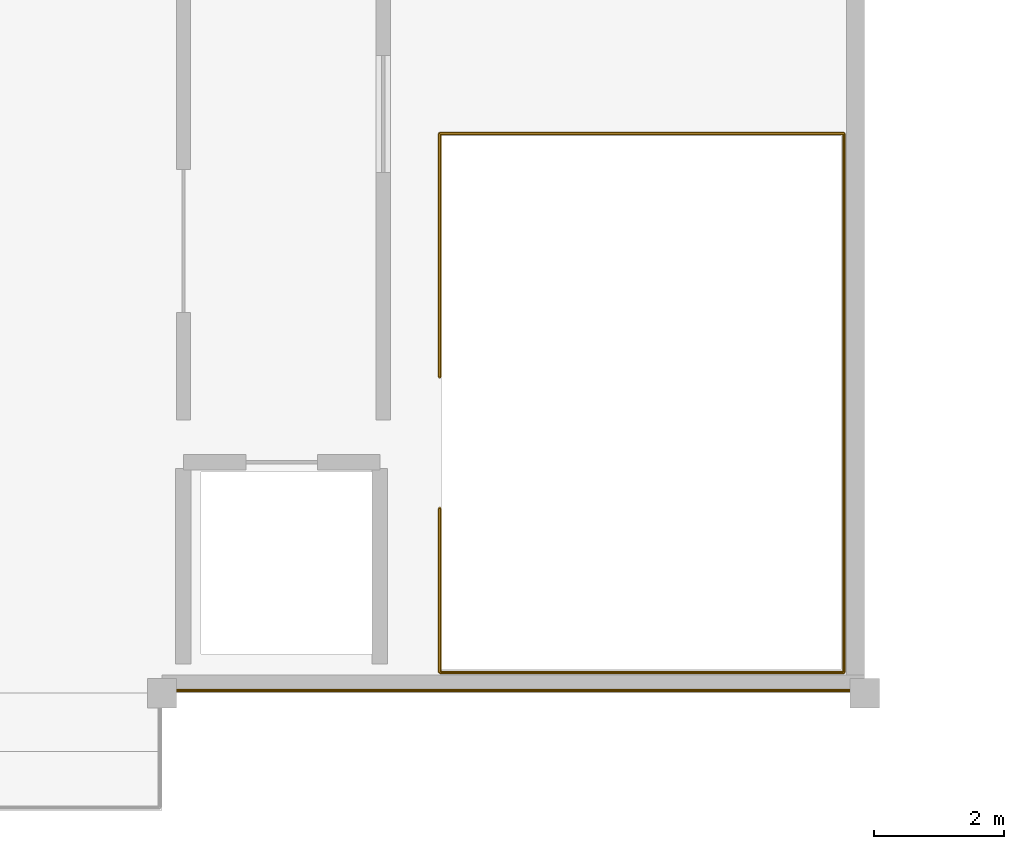
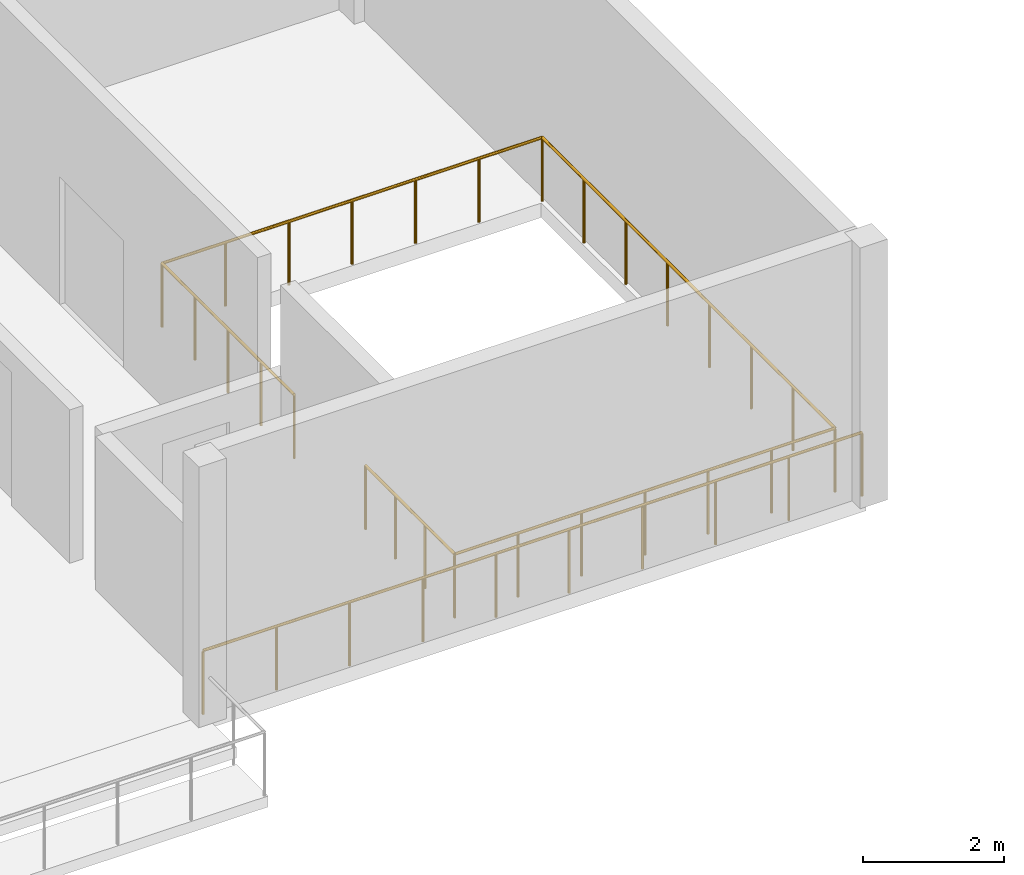
# One storey, part 88 of 89: 2 railings.
"""IFC4 building model written with IfcOpenShell, lengths in metres."""

from ifc_helpers import new_model, si_unit, direction, frame, origin, origin_2d, place, context, subcontext, project, spatial, circle, extrude, material, type_object, element, save


model = new_model("IFC4")

# Units and contexts
model_context = context("Model", 3, precision=1e-05, world=origin(), true_north=direction((0.0, 1.0)))
body_context = subcontext(model_context, "Body", "Model", "MODEL_VIEW")
ifc_project = project(units=[si_unit("LENGTHUNIT", "METRE"), si_unit("AREAUNIT", "SQUARE_METRE"), si_unit("VOLUMEUNIT", "CUBIC_METRE"), si_unit("PLANEANGLEUNIT", "RADIAN"), si_unit("MASSUNIT", "GRAM", prefix="KILO")], contexts=[model_context])

# Site, building, storey
site_placement = place(None, origin())
site = spatial("IfcSite", under=ifc_project, at=site_placement, CompositionType="ELEMENT")
building_placement = place(site_placement, origin())
building = spatial("IfcBuilding", under=site, at=building_placement, Name="Suirenkawa Promenade Aquatics Centre", CompositionType="ELEMENT")
storey_placement = place(building_placement, frame((0.0, 0.0, 9.60009765625)))
storey = spatial("IfcBuildingStorey", under=building, at=storey_placement, Name="L02", CompositionType="ELEMENT", Elevation=9.60009765625)

# Railings
ifc_material = material(Name="Marine-grade stainless steel Grade 316L", Category="steel")
railing_type_1 = type_object("IfcRailingType", Name="RLT-BALUSTRADE-1120", PredefinedType="BALUSTRADE", material=ifc_material)
railing_1_placement = place(storey_placement, frame((133.199951171875, 108.0400390625, 0.0)))
element("IfcRailing", 1, at=railing_1_placement, inside=storey, type_object=railing_type_1, Name="Balustrade BAL-01 RL-0425", PredefinedType="BALUSTRADE", context=body_context, shape_type="SweptSolid", body=[
    extrude(circle(Radius=0.02392578125, at=origin_2d()), frame((0.0, 0.0, 1.09619140625), z_axis=(1.0, 0.0, 0.0), x_axis=(0.0, 1.0, 0.0)), (0.0, 0.0, 1.0), 10.760009765625),
    extrude(circle(Radius=0.02099609375, at=origin_2d()), origin(), (0.0, 0.0, 1.0), 1.072021484375),
    extrude(circle(Radius=0.02099609375, at=origin_2d()), frame((1.195556640625, 0.0, 0.0)), (0.0, 0.0, 1.0), 1.072021484375),
    extrude(circle(Radius=0.02099609375, at=origin_2d()), frame((2.39111328125, 0.0, 0.0)), (0.0, 0.0, 1.0), 1.072021484375),
    extrude(circle(Radius=0.02099609375, at=origin_2d()), frame((3.586669921875, 0.0, 0.0)), (0.0, 0.0, 1.0), 1.072021484375),
    extrude(circle(Radius=0.02099609375, at=origin_2d()), frame((4.7822265625, 0.0, 0.0)), (0.0, 0.0, 1.0), 1.072021484375),
    extrude(circle(Radius=0.02099609375, at=origin_2d()), frame((5.977783203125, 0.0, 0.0)), (0.0, 0.0, 1.0), 1.072021484375),
    extrude(circle(Radius=0.02099609375, at=origin_2d()), frame((7.17333984375, 0.0, 0.0)), (0.0, 0.0, 1.0), 1.072021484375),
    extrude(circle(Radius=0.02099609375, at=origin_2d()), frame((8.368896484375, 0.0, 0.0)), (0.0, 0.0, 1.0), 1.072021484375),
    extrude(circle(Radius=0.02099609375, at=origin_2d()), frame((9.564453125, 0.0, 0.0)), (0.0, 0.0, 1.0), 1.072021484375),
    extrude(circle(Radius=0.02099609375, at=origin_2d()), frame((10.760009765625, 0.0, 0.0)), (0.0, 0.0, 1.0), 1.072021484375),
])
railing_type_2 = type_object("IfcRailingType", Name="RLT-GUARD-1120", PredefinedType="GUARDRAIL", material=ifc_material)
railing_2_placement = place(storey_placement, frame((137.469970703125, 112.860107421875, 0.0)))
element("IfcRailing", 2, at=railing_2_placement, inside=storey, type_object=railing_type_2, Name="Guardrail GRD-01 RL-0416", PredefinedType="GUARDRAIL", context=body_context, shape_type="SweptSolid", body=[
    extrude(circle(Radius=0.02392578125, at=origin_2d()), frame((0.0, 0.0, 1.09619140625), z_axis=(0.0, 1.0, 0.0), x_axis=(-1.0, 0.0, 0.0)), (0.0, 0.0, 1.0), 3.739990234375),
    extrude(circle(Radius=0.02392578125, at=origin_2d()), frame((0.0, 3.739990234375, 1.09619140625), z_axis=(1.0, 0.0, 0.0), x_axis=(0.0, 1.0, 0.0)), (0.0, 0.0, 1.0), 6.2099609375),
    extrude(circle(Radius=0.02392578125, at=origin_2d()), frame((6.2099609375, 3.739990234375, 1.09619140625), z_axis=(0.0, -1.0, 0.0), x_axis=(1.0, 0.0, 0.0)), (0.0, 0.0, 1.0), 8.280029296875),
    extrude(circle(Radius=0.02392578125, at=origin_2d()), frame((6.2099609375, -4.5400390625, 1.09619140625), z_axis=(-1.0, 0.0, 0.0), x_axis=(0.0, -1.0, 0.0)), (0.0, 0.0, 1.0), 6.2099609375),
    extrude(circle(Radius=0.02392578125, at=origin_2d()), frame((0.0, -4.5400390625, 1.09619140625), z_axis=(0.0, 1.0, 0.0), x_axis=(-1.0, 0.0, 0.0)), (0.0, 0.0, 1.0), 2.52001953125),
    extrude(circle(Radius=0.02099609375, at=origin_2d()), origin(), (0.0, 0.0, 1.0), 1.072021484375),
    extrude(circle(Radius=0.02099609375, at=origin_2d()), frame((0.0, 0.93505859375, 0.0)), (0.0, 0.0, 1.0), 1.072021484375),
    extrude(circle(Radius=0.02099609375, at=origin_2d()), frame((0.0, 1.8701171875, 0.0)), (0.0, 0.0, 1.0), 1.072021484375),
    extrude(circle(Radius=0.02099609375, at=origin_2d()), frame((0.0, 2.804931640625, 0.0)), (0.0, 0.0, 1.0), 1.072021484375),
    extrude(circle(Radius=0.02099609375, at=origin_2d()), frame((0.0, 3.739990234375, 0.0)), (0.0, 0.0, 1.0), 1.072021484375),
    extrude(circle(Radius=0.02099609375, at=origin_2d()), frame((1.034912109375, 3.739990234375, 0.0)), (0.0, 0.0, 1.0), 1.072021484375),
    extrude(circle(Radius=0.02099609375, at=origin_2d()), frame((2.070068359375, 3.739990234375, 0.0)), (0.0, 0.0, 1.0), 1.072021484375),
    extrude(circle(Radius=0.02099609375, at=origin_2d()), frame((3.10498046875, 3.739990234375, 0.0)), (0.0, 0.0, 1.0), 1.072021484375),
    extrude(circle(Radius=0.02099609375, at=origin_2d()), frame((4.139892578125, 3.739990234375, 0.0)), (0.0, 0.0, 1.0), 1.072021484375),
    extrude(circle(Radius=0.02099609375, at=origin_2d()), frame((5.175048828125, 3.739990234375, 0.0)), (0.0, 0.0, 1.0), 1.072021484375),
    extrude(circle(Radius=0.02099609375, at=origin_2d()), frame((6.2099609375, 3.739990234375, 0.0)), (0.0, 0.0, 1.0), 1.072021484375),
    extrude(circle(Radius=0.02099609375, at=origin_2d()), frame((6.2099609375, 2.55712890625, 0.0)), (0.0, 0.0, 1.0), 1.072021484375),
    extrude(circle(Radius=0.02099609375, at=origin_2d()), frame((6.2099609375, 1.374267578125, 0.0)), (0.0, 0.0, 1.0), 1.072021484375),
    extrude(circle(Radius=0.02099609375, at=origin_2d()), frame((6.2099609375, 0.19140625, 0.0)), (0.0, 0.0, 1.0), 1.072021484375),
    extrude(circle(Radius=0.02099609375, at=origin_2d()), frame((6.2099609375, -0.991455078125, 0.0)), (0.0, 0.0, 1.0), 1.072021484375),
    extrude(circle(Radius=0.02099609375, at=origin_2d()), frame((6.2099609375, -2.17431640625, 0.0)), (0.0, 0.0, 1.0), 1.072021484375),
    extrude(circle(Radius=0.02099609375, at=origin_2d()), frame((6.2099609375, -3.357177734375, 0.0)), (0.0, 0.0, 1.0), 1.072021484375),
    extrude(circle(Radius=0.02099609375, at=origin_2d()), frame((6.2099609375, -4.5400390625, 0.0)), (0.0, 0.0, 1.0), 1.072021484375),
    extrude(circle(Radius=0.02099609375, at=origin_2d()), frame((5.175048828125, -4.5400390625, 0.0)), (0.0, 0.0, 1.0), 1.072021484375),
    extrude(circle(Radius=0.02099609375, at=origin_2d()), frame((4.139892578125, -4.5400390625, 0.0)), (0.0, 0.0, 1.0), 1.072021484375),
    extrude(circle(Radius=0.02099609375, at=origin_2d()), frame((3.10498046875, -4.5400390625, 0.0)), (0.0, 0.0, 1.0), 1.072021484375),
    extrude(circle(Radius=0.02099609375, at=origin_2d()), frame((2.070068359375, -4.5400390625, 0.0)), (0.0, 0.0, 1.0), 1.072021484375),
    extrude(circle(Radius=0.02099609375, at=origin_2d()), frame((1.034912109375, -4.5400390625, 0.0)), (0.0, 0.0, 1.0), 1.072021484375),
    extrude(circle(Radius=0.02099609375, at=origin_2d()), frame((0.0, -4.5400390625, 0.0)), (0.0, 0.0, 1.0), 1.072021484375),
    extrude(circle(Radius=0.02099609375, at=origin_2d()), frame((0.0, -3.699951171875, 0.0)), (0.0, 0.0, 1.0), 1.072021484375),
    extrude(circle(Radius=0.02099609375, at=origin_2d()), frame((0.0, -2.860107421875, 0.0)), (0.0, 0.0, 1.0), 1.072021484375),
    extrude(circle(Radius=0.02099609375, at=origin_2d()), frame((0.0, -2.02001953125, 0.0)), (0.0, 0.0, 1.0), 1.072021484375),
])

save(model, "model.ifc")
